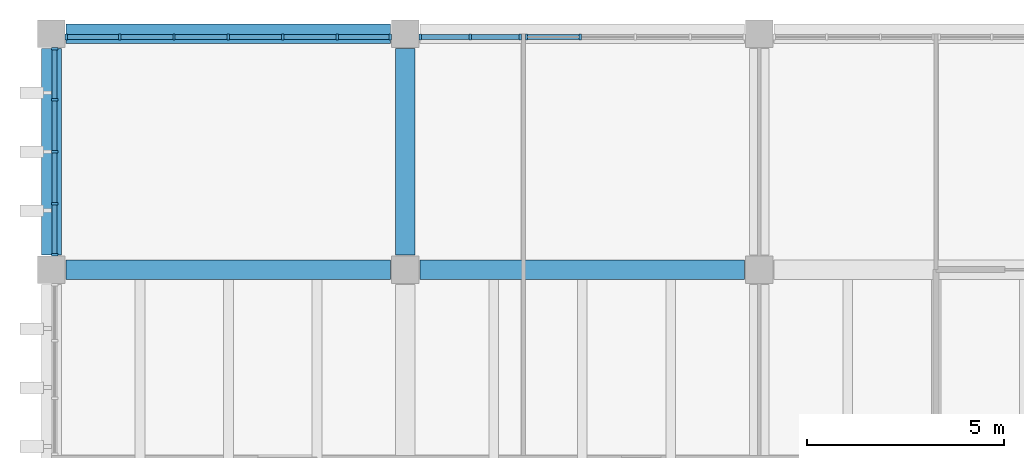
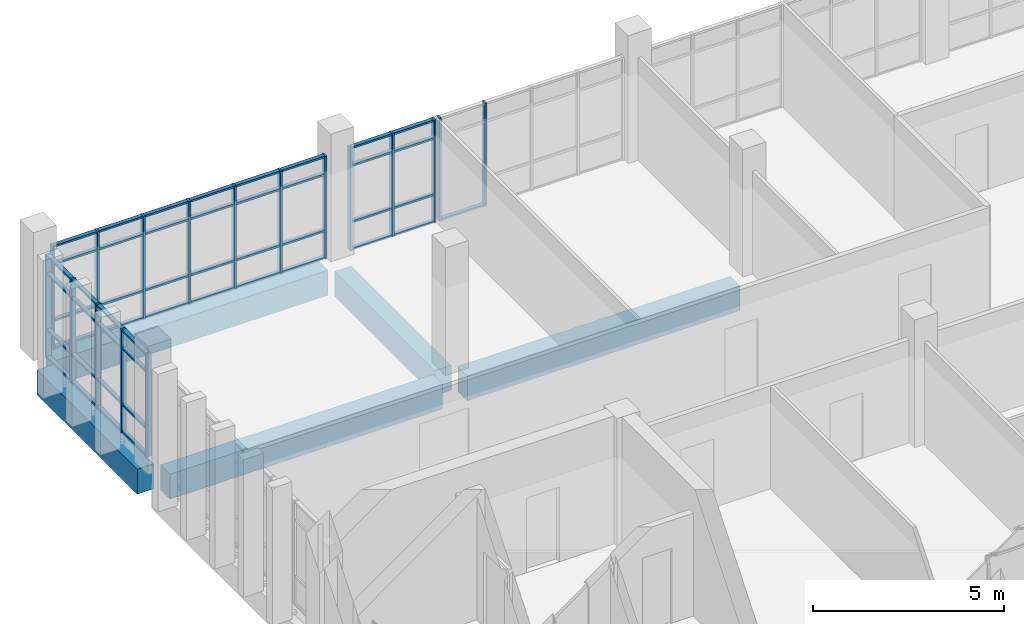
# One storey, part 4 of 14: 66 members, 5 beams, 4 elements without a shape of their own.
"""IFC4 building model written with IfcOpenShell, lengths in metres."""

from ifc_helpers import new_model, si_unit, direction, frame, origin, origin_2d, place, context, subcontext, project, spatial, rectangle, extrude, material, material_profile, profile_set, type_object, element, aggregate, save


model = new_model("IFC4")

# Units and contexts
model_context = context("Model", 3, precision=1e-05, world=origin(), true_north=direction((0.0, 1.0)))
body_context = subcontext(model_context, "Body", "Model", "MODEL_VIEW")
ifc_project = project(units=[si_unit("LENGTHUNIT", "METRE"), si_unit("AREAUNIT", "SQUARE_METRE"), si_unit("VOLUMEUNIT", "CUBIC_METRE"), si_unit("PLANEANGLEUNIT", "RADIAN"), si_unit("MASSUNIT", "GRAM", prefix="KILO")], contexts=[model_context])

# Site, building, storey
site_placement = place(None, origin())
site = spatial("IfcSite", under=ifc_project, at=site_placement, CompositionType="ELEMENT")
building_placement = place(site_placement, origin())
building = spatial("IfcBuilding", under=site, at=building_placement, Name="Merrow Basin Faculty of Sciences", CompositionType="ELEMENT")
storey_placement = place(building_placement, frame((0.0, 0.0, 36.0)))
storey = spatial("IfcBuildingStorey", under=building, at=storey_placement, Name="L08", CompositionType="ELEMENT", Elevation=36.0)

# Curtain wall, members
ifc_material_1 = material(Name="Aluminium alloy 6063", Category="aluminium")
curtain_wall_type = type_object("IfcCurtainWallType", Name="Unitised curtain wall 160", PredefinedType="NOTDEFINED", material=ifc_material_1)
curtain_wall_1_placement = place(storey_placement, origin())
curtain_wall_1 = element("IfcCurtainWall", 1, at=curtain_wall_1_placement, inside=storey, type_object=curtain_wall_type, Name="W curtain wall L08 3", PredefinedType="NOTDEFINED")
ifc_material_2 = material(Name="Aluminium alloy 6063", Category="aluminium")
ifc_material_profile_1 = material_profile(ifc_material_2, rectangle(XDim=0.159912109375, YDim=0.06005859375, at=origin_2d()))
ifc_profile_set_1 = profile_set([ifc_material_profile_1], Name="Aluminium alloy 6063")
member_type_1 = type_object("IfcMemberType", Name="Aluminium mullion 60x160", PredefinedType="MULLION", material=ifc_profile_set_1)
member_1_placement = place(storey_placement, frame((18.080078125, 160.3798828125, 0.0), z_axis=(0.0, 0.0, 1.0), x_axis=(-1.0, 0.0, 0.0)))
member_1 = element("IfcMember", 2, at=member_1_placement, type_object=member_type_1, Name="CW3 mullion 1", PredefinedType="MULLION", context=body_context, shape_type="SweptSolid", body=[
    extrude(rectangle(XDim=0.159912109375, YDim=0.06005859375, at=origin_2d()), origin(), (0.0, 0.0, 1.0), 3.300048828125),
])
member_2_placement = place(storey_placement, frame((18.080078125, 161.675048828125, 0.0), z_axis=(0.0, 0.0, 1.0), x_axis=(-1.0, 0.0, 0.0)))
member_2 = element("IfcMember", 3, at=member_2_placement, type_object=member_type_1, Name="CW3 mullion 2", PredefinedType="MULLION", context=body_context, shape_type="SweptSolid", body=[
    extrude(rectangle(XDim=0.159912109375, YDim=0.06005859375, at=origin_2d()), origin(), (0.0, 0.0, 1.0), 3.300048828125),
])
member_3_placement = place(storey_placement, frame((18.080078125, 163.0, 0.0), z_axis=(0.0, 0.0, 1.0), x_axis=(-1.0, 0.0, 0.0)))
member_3 = element("IfcMember", 4, at=member_3_placement, type_object=member_type_1, Name="CW3 mullion 3", PredefinedType="MULLION", context=body_context, shape_type="SweptSolid", body=[
    extrude(rectangle(XDim=0.159912109375, YDim=0.06005859375, at=origin_2d()), origin(), (0.0, 0.0, 1.0), 3.300048828125),
])
member_4_placement = place(storey_placement, frame((18.080078125, 164.324951171875, 0.0), z_axis=(0.0, 0.0, 1.0), x_axis=(-1.0, 0.0, 0.0)))
member_4 = element("IfcMember", 5, at=member_4_placement, type_object=member_type_1, Name="CW3 mullion 4", PredefinedType="MULLION", context=body_context, shape_type="SweptSolid", body=[
    extrude(rectangle(XDim=0.159912109375, YDim=0.06005859375, at=origin_2d()), origin(), (0.0, 0.0, 1.0), 3.300048828125),
])
member_5_placement = place(storey_placement, frame((18.080078125, 165.6201171875, 0.0), z_axis=(0.0, 0.0, 1.0), x_axis=(-1.0, 0.0, 0.0)))
member_5 = element("IfcMember", 6, at=member_5_placement, type_object=member_type_1, Name="CW3 mullion 5", PredefinedType="MULLION", context=body_context, shape_type="SweptSolid", body=[
    extrude(rectangle(XDim=0.159912109375, YDim=0.06005859375, at=origin_2d()), origin(), (0.0, 0.0, 1.0), 3.300048828125),
])

curtain_wall_2_placement = place(storey_placement, origin())
curtain_wall_2 = element("IfcCurtainWall", 7, at=curtain_wall_2_placement, inside=storey, type_object=curtain_wall_type, Name="N curtain wall L08 1", PredefinedType="NOTDEFINED")
member_6_placement = place(storey_placement, frame((18.3798828125, 165.919921875, 0.0), z_axis=(0.0, 0.0, 1.0), x_axis=(0.0, 1.0, 0.0)))
member_6 = element("IfcMember", 8, at=member_6_placement, type_object=member_type_1, Name="CW3 mullion 1", PredefinedType="MULLION", context=body_context, shape_type="SweptSolid", body=[
    extrude(rectangle(XDim=0.159912109375, YDim=0.06005859375, at=origin_2d()), origin(), (0.0, 0.0, 1.0), 3.300048828125),
])
member_7_placement = place(storey_placement, frame((19.7333984375, 165.919921875, 0.0), z_axis=(0.0, 0.0, 1.0), x_axis=(0.0, 1.0, 0.0)))
member_7 = element("IfcMember", 9, at=member_7_placement, type_object=member_type_1, Name="CW3 mullion 2", PredefinedType="MULLION", context=body_context, shape_type="SweptSolid", body=[
    extrude(rectangle(XDim=0.159912109375, YDim=0.06005859375, at=origin_2d()), origin(), (0.0, 0.0, 1.0), 3.300048828125),
])
member_8_placement = place(storey_placement, frame((21.11669921875, 165.919921875, 0.0), z_axis=(0.0, 0.0, 1.0), x_axis=(0.0, 1.0, 0.0)))
member_8 = element("IfcMember", 10, at=member_8_placement, type_object=member_type_1, Name="CW3 mullion 3", PredefinedType="MULLION", context=body_context, shape_type="SweptSolid", body=[
    extrude(rectangle(XDim=0.159912109375, YDim=0.06005859375, at=origin_2d()), origin(), (0.0, 0.0, 1.0), 3.300048828125),
])
member_9_placement = place(storey_placement, frame((22.5, 165.919921875, 0.0), z_axis=(0.0, 0.0, 1.0), x_axis=(0.0, 1.0, 0.0)))
member_9 = element("IfcMember", 11, at=member_9_placement, type_object=member_type_1, Name="CW3 mullion 4", PredefinedType="MULLION", context=body_context, shape_type="SweptSolid", body=[
    extrude(rectangle(XDim=0.159912109375, YDim=0.06005859375, at=origin_2d()), origin(), (0.0, 0.0, 1.0), 3.300048828125),
])
member_10_placement = place(storey_placement, frame((23.88330078125, 165.919921875, 0.0), z_axis=(0.0, 0.0, 1.0), x_axis=(0.0, 1.0, 0.0)))
member_10 = element("IfcMember", 12, at=member_10_placement, type_object=member_type_1, Name="CW3 mullion 5", PredefinedType="MULLION", context=body_context, shape_type="SweptSolid", body=[
    extrude(rectangle(XDim=0.159912109375, YDim=0.06005859375, at=origin_2d()), origin(), (0.0, 0.0, 1.0), 3.300048828125),
])
member_11_placement = place(storey_placement, frame((25.2666015625, 165.919921875, 0.0), z_axis=(0.0, 0.0, 1.0), x_axis=(0.0, 1.0, 0.0)))
member_11 = element("IfcMember", 13, at=member_11_placement, type_object=member_type_1, Name="CW3 mullion 6", PredefinedType="MULLION", context=body_context, shape_type="SweptSolid", body=[
    extrude(rectangle(XDim=0.159912109375, YDim=0.06005859375, at=origin_2d()), origin(), (0.0, 0.0, 1.0), 3.300048828125),
])
member_12_placement = place(storey_placement, frame((26.6201171875, 165.919921875, 0.0), z_axis=(0.0, 0.0, 1.0), x_axis=(0.0, 1.0, 0.0)))
member_12 = element("IfcMember", 14, at=member_12_placement, type_object=member_type_1, Name="CW3 mullion 7", PredefinedType="MULLION", context=body_context, shape_type="SweptSolid", body=[
    extrude(rectangle(XDim=0.159912109375, YDim=0.06005859375, at=origin_2d()), origin(), (0.0, 0.0, 1.0), 3.300048828125),
])

curtain_wall_3_placement = place(storey_placement, origin())
curtain_wall_3 = element("IfcCurtainWall", 15, at=curtain_wall_3_placement, inside=storey, type_object=curtain_wall_type, Name="N curtain wall L08 2", PredefinedType="NOTDEFINED")
member_13_placement = place(storey_placement, frame((27.3798828125, 165.919921875, 0.0), z_axis=(0.0, 0.0, 1.0), x_axis=(0.0, 1.0, 0.0)))
member_13 = element("IfcMember", 16, at=member_13_placement, type_object=member_type_1, Name="CW3 mullion 1", PredefinedType="MULLION", context=body_context, shape_type="SweptSolid", body=[
    extrude(rectangle(XDim=0.159912109375, YDim=0.06005859375, at=origin_2d()), origin(), (0.0, 0.0, 1.0), 3.300048828125),
])
member_14_placement = place(storey_placement, frame((28.64990234375, 165.919921875, 0.0), z_axis=(0.0, 0.0, 1.0), x_axis=(0.0, 1.0, 0.0)))
member_14 = element("IfcMember", 17, at=member_14_placement, type_object=member_type_1, Name="CW3 mullion 2", PredefinedType="MULLION", context=body_context, shape_type="SweptSolid", body=[
    extrude(rectangle(XDim=0.159912109375, YDim=0.06005859375, at=origin_2d()), origin(), (0.0, 0.0, 1.0), 3.300048828125),
])
member_15_placement = place(storey_placement, frame((29.919921875, 165.919921875, 0.0), z_axis=(0.0, 0.0, 1.0), x_axis=(0.0, 1.0, 0.0)))
member_15 = element("IfcMember", 18, at=member_15_placement, type_object=member_type_1, Name="CW3 mullion 3", PredefinedType="MULLION", context=body_context, shape_type="SweptSolid", body=[
    extrude(rectangle(XDim=0.159912109375, YDim=0.06005859375, at=origin_2d()), origin(), (0.0, 0.0, 1.0), 3.300048828125),
])

curtain_wall_4_placement = place(storey_placement, origin())
curtain_wall_4 = element("IfcCurtainWall", 19, at=curtain_wall_4_placement, inside=storey, type_object=curtain_wall_type, Name="N curtain wall L08 3", PredefinedType="NOTDEFINED")
member_16_placement = place(storey_placement, frame((30.080078125, 165.919921875, 0.0), z_axis=(0.0, 0.0, 1.0), x_axis=(0.0, 1.0, 0.0)))
member_16 = element("IfcMember", 20, at=member_16_placement, type_object=member_type_1, Name="CW3 mullion 1", PredefinedType="MULLION", context=body_context, shape_type="SweptSolid", body=[
    extrude(rectangle(XDim=0.159912109375, YDim=0.06005859375, at=origin_2d()), origin(), (0.0, 0.0, 1.0), 3.300048828125),
])
member_17_placement = place(storey_placement, frame((31.449951171875, 165.919921875, 0.0), z_axis=(0.0, 0.0, 1.0), x_axis=(0.0, 1.0, 0.0)))
member_17 = element("IfcMember", 21, at=member_17_placement, type_object=member_type_1, Name="CW3 mullion 2", PredefinedType="MULLION", context=body_context, shape_type="SweptSolid", body=[
    extrude(rectangle(XDim=0.159912109375, YDim=0.06005859375, at=origin_2d()), origin(), (0.0, 0.0, 1.0), 3.300048828125),
])

# Member
ifc_material_3 = material(Name="Aluminium alloy 6063", Category="aluminium")
ifc_material_profile_2 = material_profile(ifc_material_3, rectangle(XDim=0.1201171875, YDim=0.06005859375, at=origin_2d()))
ifc_profile_set_2 = profile_set([ifc_material_profile_2], Name="Aluminium alloy 6063")
member_type_2 = type_object("IfcMemberType", Name="Aluminium transom 60x120", PredefinedType="USERDEFINED", material=ifc_profile_set_2)
member_18_placement = place(storey_placement, frame((18.080078125, 160.409912109375, 0.030029296875), z_axis=(0.0, 1.0, 0.0), x_axis=(-1.0, 0.0, 0.0)))
member_18 = element("IfcMember", 22, at=member_18_placement, type_object=member_type_2, Name="CW3 transom 1.1", ObjectType="TRANSOM", PredefinedType="USERDEFINED", context=body_context, shape_type="SweptSolid", body=[
    extrude(rectangle(XDim=0.1201171875, YDim=0.06005859375, at=origin_2d()), origin(), (0.0, 0.0, 1.0), 1.235107421875),
])

member_19_placement = place(storey_placement, frame((18.080078125, 160.409912109375, 0.89990234375), z_axis=(0.0, 1.0, 0.0), x_axis=(-1.0, 0.0, 0.0)))
member_19 = element("IfcMember", 23, at=member_19_placement, type_object=member_type_2, Name="CW3 transom 1.2", ObjectType="TRANSOM", PredefinedType="USERDEFINED", context=body_context, shape_type="SweptSolid", body=[
    extrude(rectangle(XDim=0.1201171875, YDim=0.06005859375, at=origin_2d()), origin(), (0.0, 0.0, 1.0), 1.235107421875),
])

member_20_placement = place(storey_placement, frame((18.080078125, 160.409912109375, 2.699951171875), z_axis=(0.0, 1.0, 0.0), x_axis=(-1.0, 0.0, 0.0)))
member_20 = element("IfcMember", 24, at=member_20_placement, type_object=member_type_2, Name="CW3 transom 1.3", ObjectType="TRANSOM", PredefinedType="USERDEFINED", context=body_context, shape_type="SweptSolid", body=[
    extrude(rectangle(XDim=0.1201171875, YDim=0.06005859375, at=origin_2d()), origin(), (0.0, 0.0, 1.0), 1.235107421875),
])

member_21_placement = place(storey_placement, frame((18.080078125, 160.409912109375, 3.27001953125), z_axis=(0.0, 1.0, 0.0), x_axis=(-1.0, 0.0, 0.0)))
member_21 = element("IfcMember", 25, at=member_21_placement, type_object=member_type_2, Name="CW3 transom 1.4", ObjectType="TRANSOM", PredefinedType="USERDEFINED", context=body_context, shape_type="SweptSolid", body=[
    extrude(rectangle(XDim=0.1201171875, YDim=0.06005859375, at=origin_2d()), origin(), (0.0, 0.0, 1.0), 1.235107421875),
])

member_22_placement = place(storey_placement, frame((18.080078125, 161.705078125, 0.030029296875), z_axis=(0.0, 1.0, 0.0), x_axis=(-1.0, 0.0, 0.0)))
member_22 = element("IfcMember", 26, at=member_22_placement, type_object=member_type_2, Name="CW3 transom 2.1", ObjectType="TRANSOM", PredefinedType="USERDEFINED", context=body_context, shape_type="SweptSolid", body=[
    extrude(rectangle(XDim=0.1201171875, YDim=0.06005859375, at=origin_2d()), origin(), (0.0, 0.0, 1.0), 1.264892578125),
])

member_23_placement = place(storey_placement, frame((18.080078125, 161.705078125, 0.89990234375), z_axis=(0.0, 1.0, 0.0), x_axis=(-1.0, 0.0, 0.0)))
member_23 = element("IfcMember", 27, at=member_23_placement, type_object=member_type_2, Name="CW3 transom 2.2", ObjectType="TRANSOM", PredefinedType="USERDEFINED", context=body_context, shape_type="SweptSolid", body=[
    extrude(rectangle(XDim=0.1201171875, YDim=0.06005859375, at=origin_2d()), origin(), (0.0, 0.0, 1.0), 1.264892578125),
])

member_24_placement = place(storey_placement, frame((18.080078125, 161.705078125, 2.699951171875), z_axis=(0.0, 1.0, 0.0), x_axis=(-1.0, 0.0, 0.0)))
member_24 = element("IfcMember", 28, at=member_24_placement, type_object=member_type_2, Name="CW3 transom 2.3", ObjectType="TRANSOM", PredefinedType="USERDEFINED", context=body_context, shape_type="SweptSolid", body=[
    extrude(rectangle(XDim=0.1201171875, YDim=0.06005859375, at=origin_2d()), origin(), (0.0, 0.0, 1.0), 1.264892578125),
])

member_25_placement = place(storey_placement, frame((18.080078125, 161.705078125, 3.27001953125), z_axis=(0.0, 1.0, 0.0), x_axis=(-1.0, 0.0, 0.0)))
member_25 = element("IfcMember", 29, at=member_25_placement, type_object=member_type_2, Name="CW3 transom 2.4", ObjectType="TRANSOM", PredefinedType="USERDEFINED", context=body_context, shape_type="SweptSolid", body=[
    extrude(rectangle(XDim=0.1201171875, YDim=0.06005859375, at=origin_2d()), origin(), (0.0, 0.0, 1.0), 1.264892578125),
])

member_26_placement = place(storey_placement, frame((18.080078125, 163.030029296875, 0.030029296875), z_axis=(0.0, 1.0, 0.0), x_axis=(-1.0, 0.0, 0.0)))
member_26 = element("IfcMember", 30, at=member_26_placement, type_object=member_type_2, Name="CW3 transom 3.1", ObjectType="TRANSOM", PredefinedType="USERDEFINED", context=body_context, shape_type="SweptSolid", body=[
    extrude(rectangle(XDim=0.1201171875, YDim=0.06005859375, at=origin_2d()), origin(), (0.0, 0.0, 1.0), 1.264892578125),
])

member_27_placement = place(storey_placement, frame((18.080078125, 163.030029296875, 0.89990234375), z_axis=(0.0, 1.0, 0.0), x_axis=(-1.0, 0.0, 0.0)))
member_27 = element("IfcMember", 31, at=member_27_placement, type_object=member_type_2, Name="CW3 transom 3.2", ObjectType="TRANSOM", PredefinedType="USERDEFINED", context=body_context, shape_type="SweptSolid", body=[
    extrude(rectangle(XDim=0.1201171875, YDim=0.06005859375, at=origin_2d()), origin(), (0.0, 0.0, 1.0), 1.264892578125),
])

member_28_placement = place(storey_placement, frame((18.080078125, 163.030029296875, 2.699951171875), z_axis=(0.0, 1.0, 0.0), x_axis=(-1.0, 0.0, 0.0)))
member_28 = element("IfcMember", 32, at=member_28_placement, type_object=member_type_2, Name="CW3 transom 3.3", ObjectType="TRANSOM", PredefinedType="USERDEFINED", context=body_context, shape_type="SweptSolid", body=[
    extrude(rectangle(XDim=0.1201171875, YDim=0.06005859375, at=origin_2d()), origin(), (0.0, 0.0, 1.0), 1.264892578125),
])

member_29_placement = place(storey_placement, frame((18.080078125, 163.030029296875, 3.27001953125), z_axis=(0.0, 1.0, 0.0), x_axis=(-1.0, 0.0, 0.0)))
member_29 = element("IfcMember", 33, at=member_29_placement, type_object=member_type_2, Name="CW3 transom 3.4", ObjectType="TRANSOM", PredefinedType="USERDEFINED", context=body_context, shape_type="SweptSolid", body=[
    extrude(rectangle(XDim=0.1201171875, YDim=0.06005859375, at=origin_2d()), origin(), (0.0, 0.0, 1.0), 1.264892578125),
])

member_30_placement = place(storey_placement, frame((18.080078125, 164.35498046875, 0.030029296875), z_axis=(0.0, 1.0, 0.0), x_axis=(-1.0, 0.0, 0.0)))
member_30 = element("IfcMember", 34, at=member_30_placement, type_object=member_type_2, Name="CW3 transom 4.1", ObjectType="TRANSOM", PredefinedType="USERDEFINED", context=body_context, shape_type="SweptSolid", body=[
    extrude(rectangle(XDim=0.1201171875, YDim=0.06005859375, at=origin_2d()), origin(), (0.0, 0.0, 1.0), 1.235107421875),
])

member_31_placement = place(storey_placement, frame((18.080078125, 164.35498046875, 0.89990234375), z_axis=(0.0, 1.0, 0.0), x_axis=(-1.0, 0.0, 0.0)))
member_31 = element("IfcMember", 35, at=member_31_placement, type_object=member_type_2, Name="CW3 transom 4.2", ObjectType="TRANSOM", PredefinedType="USERDEFINED", context=body_context, shape_type="SweptSolid", body=[
    extrude(rectangle(XDim=0.1201171875, YDim=0.06005859375, at=origin_2d()), origin(), (0.0, 0.0, 1.0), 1.235107421875),
])

member_32_placement = place(storey_placement, frame((18.080078125, 164.35498046875, 2.699951171875), z_axis=(0.0, 1.0, 0.0), x_axis=(-1.0, 0.0, 0.0)))
member_32 = element("IfcMember", 36, at=member_32_placement, type_object=member_type_2, Name="CW3 transom 4.3", ObjectType="TRANSOM", PredefinedType="USERDEFINED", context=body_context, shape_type="SweptSolid", body=[
    extrude(rectangle(XDim=0.1201171875, YDim=0.06005859375, at=origin_2d()), origin(), (0.0, 0.0, 1.0), 1.235107421875),
])

member_33_placement = place(storey_placement, frame((18.080078125, 164.35498046875, 3.27001953125), z_axis=(0.0, 1.0, 0.0), x_axis=(-1.0, 0.0, 0.0)))
member_33 = element("IfcMember", 37, at=member_33_placement, type_object=member_type_2, Name="CW3 transom 4.4", ObjectType="TRANSOM", PredefinedType="USERDEFINED", context=body_context, shape_type="SweptSolid", body=[
    extrude(rectangle(XDim=0.1201171875, YDim=0.06005859375, at=origin_2d()), origin(), (0.0, 0.0, 1.0), 1.235107421875),
])

aggregate(curtain_wall_1, [member_1, member_2, member_3, member_4, member_5, member_18, member_19, member_20, member_21, member_22, member_23, member_24, member_25, member_26, member_27, member_28, member_29, member_30, member_31, member_32, member_33])

member_34_placement = place(storey_placement, frame((18.409912109375, 165.919921875, 0.030029296875), z_axis=(1.0, 0.0, 0.0), x_axis=(0.0, 1.0, 0.0)))
member_34 = element("IfcMember", 38, at=member_34_placement, type_object=member_type_2, Name="CW3 transom 1.1", ObjectType="TRANSOM", PredefinedType="USERDEFINED", context=body_context, shape_type="SweptSolid", body=[
    extrude(rectangle(XDim=0.1201171875, YDim=0.06005859375, at=origin_2d()), origin(), (0.0, 0.0, 1.0), 1.29345703125),
])

member_35_placement = place(storey_placement, frame((18.409912109375, 165.919921875, 0.89990234375), z_axis=(1.0, 0.0, 0.0), x_axis=(0.0, 1.0, 0.0)))
member_35 = element("IfcMember", 39, at=member_35_placement, type_object=member_type_2, Name="CW3 transom 1.2", ObjectType="TRANSOM", PredefinedType="USERDEFINED", context=body_context, shape_type="SweptSolid", body=[
    extrude(rectangle(XDim=0.1201171875, YDim=0.06005859375, at=origin_2d()), origin(), (0.0, 0.0, 1.0), 1.29345703125),
])

member_36_placement = place(storey_placement, frame((18.409912109375, 165.919921875, 2.699951171875), z_axis=(1.0, 0.0, 0.0), x_axis=(0.0, 1.0, 0.0)))
member_36 = element("IfcMember", 40, at=member_36_placement, type_object=member_type_2, Name="CW3 transom 1.3", ObjectType="TRANSOM", PredefinedType="USERDEFINED", context=body_context, shape_type="SweptSolid", body=[
    extrude(rectangle(XDim=0.1201171875, YDim=0.06005859375, at=origin_2d()), origin(), (0.0, 0.0, 1.0), 1.29345703125),
])

member_37_placement = place(storey_placement, frame((18.409912109375, 165.919921875, 3.27001953125), z_axis=(1.0, 0.0, 0.0), x_axis=(0.0, 1.0, 0.0)))
member_37 = element("IfcMember", 41, at=member_37_placement, type_object=member_type_2, Name="CW3 transom 1.4", ObjectType="TRANSOM", PredefinedType="USERDEFINED", context=body_context, shape_type="SweptSolid", body=[
    extrude(rectangle(XDim=0.1201171875, YDim=0.06005859375, at=origin_2d()), origin(), (0.0, 0.0, 1.0), 1.29345703125),
])

member_38_placement = place(storey_placement, frame((19.763427734375, 165.919921875, 0.030029296875), z_axis=(1.0, 0.0, 0.0), x_axis=(0.0, 1.0, 0.0)))
member_38 = element("IfcMember", 42, at=member_38_placement, type_object=member_type_2, Name="CW3 transom 2.1", ObjectType="TRANSOM", PredefinedType="USERDEFINED", context=body_context, shape_type="SweptSolid", body=[
    extrude(rectangle(XDim=0.1201171875, YDim=0.06005859375, at=origin_2d()), origin(), (0.0, 0.0, 1.0), 1.3232421875),
])

member_39_placement = place(storey_placement, frame((19.763427734375, 165.919921875, 0.89990234375), z_axis=(1.0, 0.0, 0.0), x_axis=(0.0, 1.0, 0.0)))
member_39 = element("IfcMember", 43, at=member_39_placement, type_object=member_type_2, Name="CW3 transom 2.2", ObjectType="TRANSOM", PredefinedType="USERDEFINED", context=body_context, shape_type="SweptSolid", body=[
    extrude(rectangle(XDim=0.1201171875, YDim=0.06005859375, at=origin_2d()), origin(), (0.0, 0.0, 1.0), 1.3232421875),
])

member_40_placement = place(storey_placement, frame((19.763427734375, 165.919921875, 2.699951171875), z_axis=(1.0, 0.0, 0.0), x_axis=(0.0, 1.0, 0.0)))
member_40 = element("IfcMember", 44, at=member_40_placement, type_object=member_type_2, Name="CW3 transom 2.3", ObjectType="TRANSOM", PredefinedType="USERDEFINED", context=body_context, shape_type="SweptSolid", body=[
    extrude(rectangle(XDim=0.1201171875, YDim=0.06005859375, at=origin_2d()), origin(), (0.0, 0.0, 1.0), 1.3232421875),
])

member_41_placement = place(storey_placement, frame((19.763427734375, 165.919921875, 3.27001953125), z_axis=(1.0, 0.0, 0.0), x_axis=(0.0, 1.0, 0.0)))
member_41 = element("IfcMember", 45, at=member_41_placement, type_object=member_type_2, Name="CW3 transom 2.4", ObjectType="TRANSOM", PredefinedType="USERDEFINED", context=body_context, shape_type="SweptSolid", body=[
    extrude(rectangle(XDim=0.1201171875, YDim=0.06005859375, at=origin_2d()), origin(), (0.0, 0.0, 1.0), 1.3232421875),
])

member_42_placement = place(storey_placement, frame((21.146728515625, 165.919921875, 0.030029296875), z_axis=(1.0, 0.0, 0.0), x_axis=(0.0, 1.0, 0.0)))
member_42 = element("IfcMember", 46, at=member_42_placement, type_object=member_type_2, Name="CW3 transom 3.1", ObjectType="TRANSOM", PredefinedType="USERDEFINED", context=body_context, shape_type="SweptSolid", body=[
    extrude(rectangle(XDim=0.1201171875, YDim=0.06005859375, at=origin_2d()), origin(), (0.0, 0.0, 1.0), 1.3232421875),
])

member_43_placement = place(storey_placement, frame((21.146728515625, 165.919921875, 0.89990234375), z_axis=(1.0, 0.0, 0.0), x_axis=(0.0, 1.0, 0.0)))
member_43 = element("IfcMember", 47, at=member_43_placement, type_object=member_type_2, Name="CW3 transom 3.2", ObjectType="TRANSOM", PredefinedType="USERDEFINED", context=body_context, shape_type="SweptSolid", body=[
    extrude(rectangle(XDim=0.1201171875, YDim=0.06005859375, at=origin_2d()), origin(), (0.0, 0.0, 1.0), 1.3232421875),
])

member_44_placement = place(storey_placement, frame((21.146728515625, 165.919921875, 2.699951171875), z_axis=(1.0, 0.0, 0.0), x_axis=(0.0, 1.0, 0.0)))
member_44 = element("IfcMember", 48, at=member_44_placement, type_object=member_type_2, Name="CW3 transom 3.3", ObjectType="TRANSOM", PredefinedType="USERDEFINED", context=body_context, shape_type="SweptSolid", body=[
    extrude(rectangle(XDim=0.1201171875, YDim=0.06005859375, at=origin_2d()), origin(), (0.0, 0.0, 1.0), 1.3232421875),
])

member_45_placement = place(storey_placement, frame((21.146728515625, 165.919921875, 3.27001953125), z_axis=(1.0, 0.0, 0.0), x_axis=(0.0, 1.0, 0.0)))
member_45 = element("IfcMember", 49, at=member_45_placement, type_object=member_type_2, Name="CW3 transom 3.4", ObjectType="TRANSOM", PredefinedType="USERDEFINED", context=body_context, shape_type="SweptSolid", body=[
    extrude(rectangle(XDim=0.1201171875, YDim=0.06005859375, at=origin_2d()), origin(), (0.0, 0.0, 1.0), 1.3232421875),
])

member_46_placement = place(storey_placement, frame((22.530029296875, 165.919921875, 0.030029296875), z_axis=(1.0, 0.0, 0.0), x_axis=(0.0, 1.0, 0.0)))
member_46 = element("IfcMember", 50, at=member_46_placement, type_object=member_type_2, Name="CW3 transom 4.1", ObjectType="TRANSOM", PredefinedType="USERDEFINED", context=body_context, shape_type="SweptSolid", body=[
    extrude(rectangle(XDim=0.1201171875, YDim=0.06005859375, at=origin_2d()), origin(), (0.0, 0.0, 1.0), 1.3232421875),
])

member_47_placement = place(storey_placement, frame((22.530029296875, 165.919921875, 0.89990234375), z_axis=(1.0, 0.0, 0.0), x_axis=(0.0, 1.0, 0.0)))
member_47 = element("IfcMember", 51, at=member_47_placement, type_object=member_type_2, Name="CW3 transom 4.2", ObjectType="TRANSOM", PredefinedType="USERDEFINED", context=body_context, shape_type="SweptSolid", body=[
    extrude(rectangle(XDim=0.1201171875, YDim=0.06005859375, at=origin_2d()), origin(), (0.0, 0.0, 1.0), 1.3232421875),
])

member_48_placement = place(storey_placement, frame((22.530029296875, 165.919921875, 2.699951171875), z_axis=(1.0, 0.0, 0.0), x_axis=(0.0, 1.0, 0.0)))
member_48 = element("IfcMember", 52, at=member_48_placement, type_object=member_type_2, Name="CW3 transom 4.3", ObjectType="TRANSOM", PredefinedType="USERDEFINED", context=body_context, shape_type="SweptSolid", body=[
    extrude(rectangle(XDim=0.1201171875, YDim=0.06005859375, at=origin_2d()), origin(), (0.0, 0.0, 1.0), 1.3232421875),
])

member_49_placement = place(storey_placement, frame((22.530029296875, 165.919921875, 3.27001953125), z_axis=(1.0, 0.0, 0.0), x_axis=(0.0, 1.0, 0.0)))
member_49 = element("IfcMember", 53, at=member_49_placement, type_object=member_type_2, Name="CW3 transom 4.4", ObjectType="TRANSOM", PredefinedType="USERDEFINED", context=body_context, shape_type="SweptSolid", body=[
    extrude(rectangle(XDim=0.1201171875, YDim=0.06005859375, at=origin_2d()), origin(), (0.0, 0.0, 1.0), 1.3232421875),
])

member_50_placement = place(storey_placement, frame((23.913330078125, 165.919921875, 0.030029296875), z_axis=(1.0, 0.0, 0.0), x_axis=(0.0, 1.0, 0.0)))
member_50 = element("IfcMember", 54, at=member_50_placement, type_object=member_type_2, Name="CW3 transom 5.1", ObjectType="TRANSOM", PredefinedType="USERDEFINED", context=body_context, shape_type="SweptSolid", body=[
    extrude(rectangle(XDim=0.1201171875, YDim=0.06005859375, at=origin_2d()), origin(), (0.0, 0.0, 1.0), 1.3232421875),
])

member_51_placement = place(storey_placement, frame((23.913330078125, 165.919921875, 0.89990234375), z_axis=(1.0, 0.0, 0.0), x_axis=(0.0, 1.0, 0.0)))
member_51 = element("IfcMember", 55, at=member_51_placement, type_object=member_type_2, Name="CW3 transom 5.2", ObjectType="TRANSOM", PredefinedType="USERDEFINED", context=body_context, shape_type="SweptSolid", body=[
    extrude(rectangle(XDim=0.1201171875, YDim=0.06005859375, at=origin_2d()), origin(), (0.0, 0.0, 1.0), 1.3232421875),
])

member_52_placement = place(storey_placement, frame((23.913330078125, 165.919921875, 2.699951171875), z_axis=(1.0, 0.0, 0.0), x_axis=(0.0, 1.0, 0.0)))
member_52 = element("IfcMember", 56, at=member_52_placement, type_object=member_type_2, Name="CW3 transom 5.3", ObjectType="TRANSOM", PredefinedType="USERDEFINED", context=body_context, shape_type="SweptSolid", body=[
    extrude(rectangle(XDim=0.1201171875, YDim=0.06005859375, at=origin_2d()), origin(), (0.0, 0.0, 1.0), 1.3232421875),
])

member_53_placement = place(storey_placement, frame((23.913330078125, 165.919921875, 3.27001953125), z_axis=(1.0, 0.0, 0.0), x_axis=(0.0, 1.0, 0.0)))
member_53 = element("IfcMember", 57, at=member_53_placement, type_object=member_type_2, Name="CW3 transom 5.4", ObjectType="TRANSOM", PredefinedType="USERDEFINED", context=body_context, shape_type="SweptSolid", body=[
    extrude(rectangle(XDim=0.1201171875, YDim=0.06005859375, at=origin_2d()), origin(), (0.0, 0.0, 1.0), 1.3232421875),
])

member_54_placement = place(storey_placement, frame((25.296630859375, 165.919921875, 0.030029296875), z_axis=(1.0, 0.0, 0.0), x_axis=(0.0, 1.0, 0.0)))
member_54 = element("IfcMember", 58, at=member_54_placement, type_object=member_type_2, Name="CW3 transom 6.1", ObjectType="TRANSOM", PredefinedType="USERDEFINED", context=body_context, shape_type="SweptSolid", body=[
    extrude(rectangle(XDim=0.1201171875, YDim=0.06005859375, at=origin_2d()), origin(), (0.0, 0.0, 1.0), 1.29345703125),
])

member_55_placement = place(storey_placement, frame((25.296630859375, 165.919921875, 0.89990234375), z_axis=(1.0, 0.0, 0.0), x_axis=(0.0, 1.0, 0.0)))
member_55 = element("IfcMember", 59, at=member_55_placement, type_object=member_type_2, Name="CW3 transom 6.2", ObjectType="TRANSOM", PredefinedType="USERDEFINED", context=body_context, shape_type="SweptSolid", body=[
    extrude(rectangle(XDim=0.1201171875, YDim=0.06005859375, at=origin_2d()), origin(), (0.0, 0.0, 1.0), 1.29345703125),
])

member_56_placement = place(storey_placement, frame((25.296630859375, 165.919921875, 2.699951171875), z_axis=(1.0, 0.0, 0.0), x_axis=(0.0, 1.0, 0.0)))
member_56 = element("IfcMember", 60, at=member_56_placement, type_object=member_type_2, Name="CW3 transom 6.3", ObjectType="TRANSOM", PredefinedType="USERDEFINED", context=body_context, shape_type="SweptSolid", body=[
    extrude(rectangle(XDim=0.1201171875, YDim=0.06005859375, at=origin_2d()), origin(), (0.0, 0.0, 1.0), 1.29345703125),
])

member_57_placement = place(storey_placement, frame((25.296630859375, 165.919921875, 3.27001953125), z_axis=(1.0, 0.0, 0.0), x_axis=(0.0, 1.0, 0.0)))
member_57 = element("IfcMember", 61, at=member_57_placement, type_object=member_type_2, Name="CW3 transom 6.4", ObjectType="TRANSOM", PredefinedType="USERDEFINED", context=body_context, shape_type="SweptSolid", body=[
    extrude(rectangle(XDim=0.1201171875, YDim=0.06005859375, at=origin_2d()), origin(), (0.0, 0.0, 1.0), 1.29345703125),
])

aggregate(curtain_wall_2, [member_6, member_7, member_8, member_9, member_10, member_11, member_12, member_34, member_35, member_36, member_37, member_38, member_39, member_40, member_41, member_42, member_43, member_44, member_45, member_46, member_47, member_48, member_49, member_50, member_51, member_52, member_53, member_54, member_55, member_56, member_57])

member_58_placement = place(storey_placement, frame((27.409912109375, 165.919921875, 0.030029296875), z_axis=(1.0, 0.0, 0.0), x_axis=(0.0, 1.0, 0.0)))
member_58 = element("IfcMember", 62, at=member_58_placement, type_object=member_type_2, Name="CW3 transom 1.1", ObjectType="TRANSOM", PredefinedType="USERDEFINED", context=body_context, shape_type="SweptSolid", body=[
    extrude(rectangle(XDim=0.1201171875, YDim=0.06005859375, at=origin_2d()), origin(), (0.0, 0.0, 1.0), 1.210205078125),
])

member_59_placement = place(storey_placement, frame((27.409912109375, 165.919921875, 0.89990234375), z_axis=(1.0, 0.0, 0.0), x_axis=(0.0, 1.0, 0.0)))
member_59 = element("IfcMember", 63, at=member_59_placement, type_object=member_type_2, Name="CW3 transom 1.2", ObjectType="TRANSOM", PredefinedType="USERDEFINED", context=body_context, shape_type="SweptSolid", body=[
    extrude(rectangle(XDim=0.1201171875, YDim=0.06005859375, at=origin_2d()), origin(), (0.0, 0.0, 1.0), 1.210205078125),
])

member_60_placement = place(storey_placement, frame((27.409912109375, 165.919921875, 2.699951171875), z_axis=(1.0, 0.0, 0.0), x_axis=(0.0, 1.0, 0.0)))
member_60 = element("IfcMember", 64, at=member_60_placement, type_object=member_type_2, Name="CW3 transom 1.3", ObjectType="TRANSOM", PredefinedType="USERDEFINED", context=body_context, shape_type="SweptSolid", body=[
    extrude(rectangle(XDim=0.1201171875, YDim=0.06005859375, at=origin_2d()), origin(), (0.0, 0.0, 1.0), 1.210205078125),
])

member_61_placement = place(storey_placement, frame((27.409912109375, 165.919921875, 3.27001953125), z_axis=(1.0, 0.0, 0.0), x_axis=(0.0, 1.0, 0.0)))
member_61 = element("IfcMember", 65, at=member_61_placement, type_object=member_type_2, Name="CW3 transom 1.4", ObjectType="TRANSOM", PredefinedType="USERDEFINED", context=body_context, shape_type="SweptSolid", body=[
    extrude(rectangle(XDim=0.1201171875, YDim=0.06005859375, at=origin_2d()), origin(), (0.0, 0.0, 1.0), 1.210205078125),
])

member_62_placement = place(storey_placement, frame((28.679931640625, 165.919921875, 0.030029296875), z_axis=(1.0, 0.0, 0.0), x_axis=(0.0, 1.0, 0.0)))
member_62 = element("IfcMember", 66, at=member_62_placement, type_object=member_type_2, Name="CW3 transom 2.1", ObjectType="TRANSOM", PredefinedType="USERDEFINED", context=body_context, shape_type="SweptSolid", body=[
    extrude(rectangle(XDim=0.1201171875, YDim=0.06005859375, at=origin_2d()), origin(), (0.0, 0.0, 1.0), 1.2099609375),
])

member_63_placement = place(storey_placement, frame((28.679931640625, 165.919921875, 0.89990234375), z_axis=(1.0, 0.0, 0.0), x_axis=(0.0, 1.0, 0.0)))
member_63 = element("IfcMember", 67, at=member_63_placement, type_object=member_type_2, Name="CW3 transom 2.2", ObjectType="TRANSOM", PredefinedType="USERDEFINED", context=body_context, shape_type="SweptSolid", body=[
    extrude(rectangle(XDim=0.1201171875, YDim=0.06005859375, at=origin_2d()), origin(), (0.0, 0.0, 1.0), 1.2099609375),
])

member_64_placement = place(storey_placement, frame((28.679931640625, 165.919921875, 2.699951171875), z_axis=(1.0, 0.0, 0.0), x_axis=(0.0, 1.0, 0.0)))
member_64 = element("IfcMember", 68, at=member_64_placement, type_object=member_type_2, Name="CW3 transom 2.3", ObjectType="TRANSOM", PredefinedType="USERDEFINED", context=body_context, shape_type="SweptSolid", body=[
    extrude(rectangle(XDim=0.1201171875, YDim=0.06005859375, at=origin_2d()), origin(), (0.0, 0.0, 1.0), 1.2099609375),
])

member_65_placement = place(storey_placement, frame((28.679931640625, 165.919921875, 3.27001953125), z_axis=(1.0, 0.0, 0.0), x_axis=(0.0, 1.0, 0.0)))
member_65 = element("IfcMember", 69, at=member_65_placement, type_object=member_type_2, Name="CW3 transom 2.4", ObjectType="TRANSOM", PredefinedType="USERDEFINED", context=body_context, shape_type="SweptSolid", body=[
    extrude(rectangle(XDim=0.1201171875, YDim=0.06005859375, at=origin_2d()), origin(), (0.0, 0.0, 1.0), 1.2099609375),
])

aggregate(curtain_wall_3, [member_13, member_14, member_15, member_58, member_59, member_60, member_61, member_62, member_63, member_64, member_65])

member_66_placement = place(storey_placement, frame((30.110107421875, 165.919921875, 0.030029296875), z_axis=(1.0, 0.0, 0.0), x_axis=(0.0, 1.0, 0.0)))
member_66 = element("IfcMember", 70, at=member_66_placement, type_object=member_type_2, Name="CW3 transom 1.1", ObjectType="TRANSOM", PredefinedType="USERDEFINED", context=body_context, shape_type="SweptSolid", body=[
    extrude(rectangle(XDim=0.1201171875, YDim=0.06005859375, at=origin_2d()), origin(), (0.0, 0.0, 1.0), 1.309814453125),
])

aggregate(curtain_wall_4, [member_16, member_17, member_66])

# Beams
ifc_material_4 = material(Name="Concrete C40/50", Category="concrete")
ifc_material_profile_3 = material_profile(ifc_material_4, rectangle(XDim=0.5, YDim=0.800048828125, at=origin_2d()))
ifc_profile_set_3 = profile_set([ifc_material_profile_3], Name="Concrete C40/50")
beam_type = type_object("IfcBeamType", Name="Beam RC500x800 C40/50", PredefinedType="BEAM", material=ifc_profile_set_3)
for number, where, z_axis, x_axis, name in (
    (71, (18.375, 160.0, -0.699951171875), (1.0, 0.0, 0.0), (0.0, 1.0, 0.0), "B4 L08 006"),
    (72, (27.375, 160.0, -0.699951171875), (1.0, 0.0, 0.0), (0.0, 1.0, 0.0), "B4 L08 007"),
    (73, (18.375, 166.0, -0.699951171875), (1.0, 0.0, 0.0), (0.0, 1.0, 0.0), "B4 L08 009"),
):
    element("IfcBeam", number, at=place(storey_placement, frame(where, z_axis=z_axis, x_axis=x_axis)), inside=storey, type_object=beam_type, Name=name, PredefinedType="BEAM", context=body_context, shape_type="SweptSolid", body=[
        extrude(rectangle(XDim=0.5, YDim=0.800048828125, at=origin_2d()), origin(), (0.0, 0.0, 1.0), 8.25),
    ])
for number, where, z_axis, x_axis, name in (
    (74, (18.0, 160.375, -0.699951171875), (0.0, 1.0, 0.0), (-1.0, 0.0, 0.0), "B4 L08 014"),
    (75, (27.0, 160.375, -0.699951171875), (0.0, 1.0, 0.0), (-1.0, 0.0, 0.0), "B4 L08 016"),
):
    element("IfcBeam", number, at=place(storey_placement, frame(where, z_axis=z_axis, x_axis=x_axis)), inside=storey, type_object=beam_type, Name=name, PredefinedType="BEAM", context=body_context, shape_type="SweptSolid", body=[
        extrude(rectangle(XDim=0.5, YDim=0.800048828125, at=origin_2d()), origin(), (0.0, 0.0, 1.0), 5.25),
    ])

save(model, "model.ifc")
